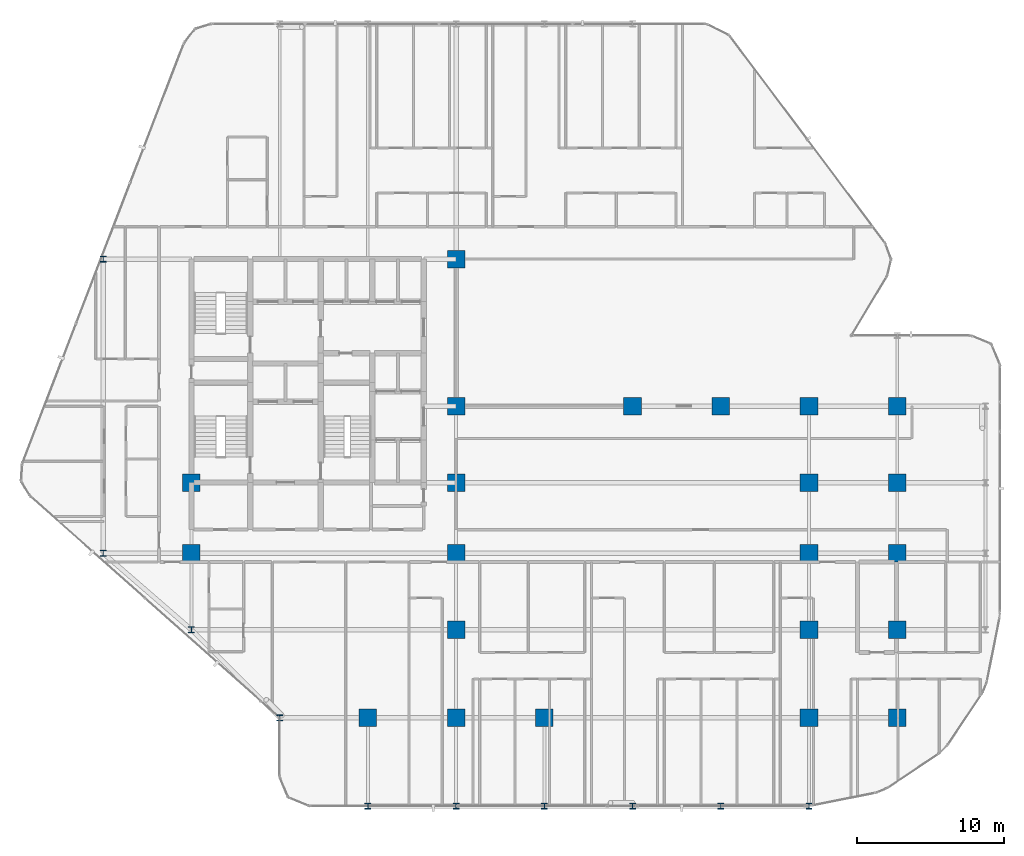
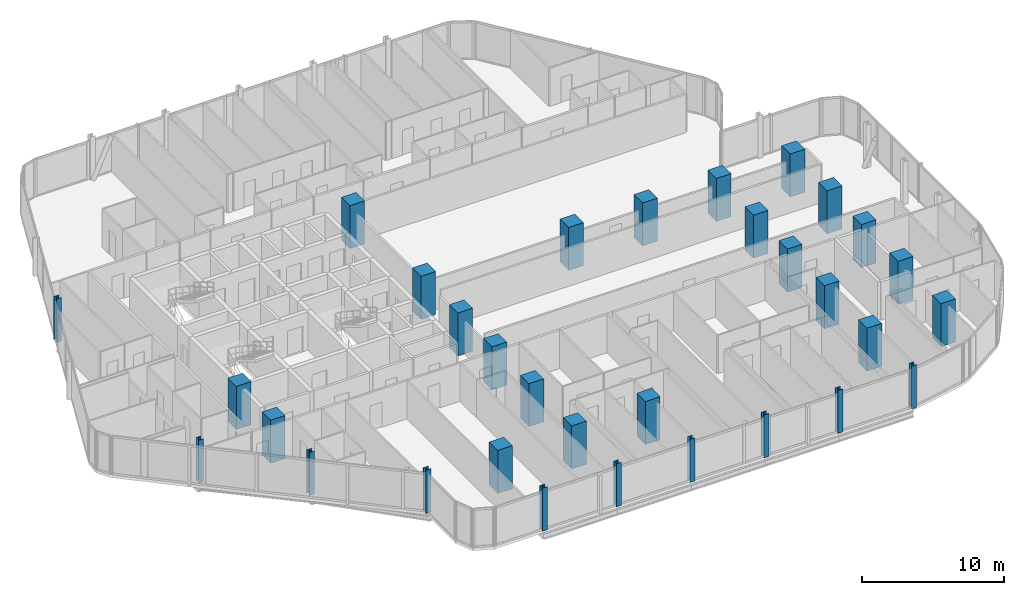
# One storey, part 1 of 34: 32 columns.
"""IFC4 building model written with IfcOpenShell, lengths in metres."""

from ifc_helpers import new_model, si_unit, direction, frame, origin, origin_2d, place, context, subcontext, project, spatial, rectangle, i_section, extrude, material, material_profile, profile_set, type_object, element, save


model = new_model("IFC4")

# Units and contexts
model_context = context("Model", 3, precision=1e-05, world=origin(), true_north=direction((0.0, 1.0)))
body_context = subcontext(model_context, "Body", "Model", "MODEL_VIEW")
ifc_project = project(units=[si_unit("LENGTHUNIT", "METRE"), si_unit("AREAUNIT", "SQUARE_METRE"), si_unit("VOLUMEUNIT", "CUBIC_METRE"), si_unit("PLANEANGLEUNIT", "RADIAN"), si_unit("MASSUNIT", "GRAM", prefix="KILO")], contexts=[model_context])

# Site, building, storey
site_placement = place(None, origin())
site = spatial("IfcSite", under=ifc_project, at=site_placement, CompositionType="ELEMENT")
building_placement = place(site_placement, origin())
building = spatial("IfcBuilding", under=site, at=building_placement, Name="Keshet Zoharim Tower", CompositionType="ELEMENT")
storey_placement = place(building_placement, frame((0.0, 0.0, 77.5)))
storey = spatial("IfcBuildingStorey", under=building, at=storey_placement, Name="L18", CompositionType="ELEMENT", Elevation=77.5)

# Columns
ifc_material_1 = material(Name="Steel S355", Category="steel")
ifc_material_profile_1 = material_profile(ifc_material_1, i_section(OverallWidth=0.40087890625, OverallDepth=0.39892578125, WebThickness=0.02490234375, FlangeThickness=0.03955078125, FilletRadius=0.014892578125, at=origin_2d()), Name="HD400x314")
ifc_profile_set_1 = profile_set([ifc_material_profile_1], Name="Steel S355")
column_type_1 = type_object("IfcColumnType", Name="COL-HD314", PredefinedType="COLUMN", material=ifc_profile_set_1)
for number, where, z_axis, x_axis, name in (
    (1, (9.0, 17.89990234375, 0.0), (0.0, 0.0, 1.0), (1.0, 0.0, 0.0), "L18 Column 2D"),
    (2, (9.0, 37.89990234375, 0.0), (0.0, 0.0, 1.0), (1.0, 0.0, 0.0), "L18 Column 2H"),
    (3, (15.0, 12.699951171875, 0.0), (0.0, 0.0, 1.0), (1.0, 0.0, 0.0), "L18 Column 3C"),
    (4, (21.0, 6.699951171875, 0.0), (0.0, 0.0, 1.0), (1.0, 0.0, 0.0), "L18 Column 4B"),
    (5, (27.0, 0.699951171875, 0.0), (0.0, 0.0, 1.0), (1.0, 0.0, 0.0), "L18 Column 5A"),
    (6, (33.0, 0.699951171875, 0.0), (0.0, 0.0, 1.0), (1.0, 0.0, 0.0), "L18 Column 6A"),
    (7, (39.0, 0.699951171875, 0.0), (0.0, 0.0, 1.0), (1.0, 0.0, 0.0), "L18 Column 7A"),
    (8, (45.0, 0.699951171875, 0.0), (0.0, 0.0, 1.0), (1.0, 0.0, 0.0), "L18 Column 8A"),
    (9, (51.0, 0.699951171875, 0.0), (0.0, 0.0, 1.0), (1.0, 0.0, 0.0), "L18 Column 9A"),
    (10, (57.0, 0.699951171875, 0.0), (0.0, 0.0, 1.0), (1.0, 0.0, 0.0), "L18 Column 10A"),
):
    element("IfcColumn", number, at=place(storey_placement, frame(where, z_axis=z_axis, x_axis=x_axis)), inside=storey, type_object=column_type_1, Name=name, PredefinedType="COLUMN", context=body_context, shape_type="SweptSolid", body=[
        extrude(i_section(OverallWidth=0.40087890625, OverallDepth=0.39892578125, WebThickness=0.02490234375, FlangeThickness=0.03955078125, FilletRadius=0.014892578125, at=origin_2d()), origin(), (0.0, 0.0, 1.0), 3.699951171875),
    ])
ifc_material_2 = material(Name="Concrete C60/75", Category="concrete")
ifc_material_profile_2 = material_profile(ifc_material_2, rectangle(XDim=1.199951171875, YDim=1.199951171875, at=origin_2d()), Name="RC1200x1200")
ifc_profile_set_2 = profile_set([ifc_material_profile_2], Name="Concrete C60/75")
column_type_2 = type_object("IfcColumnType", Name="COL-RC1200", PredefinedType="COLUMN", material=ifc_profile_set_2)
for number, where, z_axis, x_axis, name in (
    (11, (15.0, 17.89990234375, 0.0), (0.0, 0.0, 1.0), (1.0, 0.0, 0.0), "L18 Column 3D"),
    (12, (15.0, 22.699951171875, 0.0), (0.0, 0.0, 1.0), (1.0, 0.0, 0.0), "L18 Column 3E"),
    (13, (27.0, 6.699951171875, 0.0), (0.0, 0.0, 1.0), (1.0, 0.0, 0.0), "L18 Column 5B"),
    (14, (33.0, 6.699951171875, 0.0), (0.0, 0.0, 1.0), (1.0, 0.0, 0.0), "L18 Column 6B"),
    (15, (33.0, 12.699951171875, 0.0), (0.0, 0.0, 1.0), (1.0, 0.0, 0.0), "L18 Column 6C"),
    (16, (33.0, 17.89990234375, 0.0), (0.0, 0.0, 1.0), (1.0, 0.0, 0.0), "L18 Column 6D"),
    (17, (33.0, 22.699951171875, 0.0), (0.0, 0.0, 1.0), (1.0, 0.0, 0.0), "L18 Column 6E"),
    (18, (33.0, 27.89990234375, 0.0), (0.0, 0.0, 1.0), (1.0, 0.0, 0.0), "L18 Column 6F"),
    (19, (33.0, 37.89990234375, 0.0), (0.0, 0.0, 1.0), (1.0, 0.0, 0.0), "L18 Column 6H"),
    (20, (39.0, 6.699951171875, 0.0), (0.0, 0.0, 1.0), (1.0, 0.0, 0.0), "L18 Column 7B"),
    (21, (45.0, 27.89990234375, 0.0), (0.0, 0.0, 1.0), (1.0, 0.0, 0.0), "L18 Column 8F"),
    (22, (51.0, 27.89990234375, 0.0), (0.0, 0.0, 1.0), (1.0, 0.0, 0.0), "L18 Column 9F"),
    (23, (57.0, 6.699951171875, 0.0), (0.0, 0.0, 1.0), (1.0, 0.0, 0.0), "L18 Column 10B"),
    (24, (57.0, 12.699951171875, 0.0), (0.0, 0.0, 1.0), (1.0, 0.0, 0.0), "L18 Column 10C"),
    (25, (57.0, 17.89990234375, 0.0), (0.0, 0.0, 1.0), (1.0, 0.0, 0.0), "L18 Column 10D"),
    (26, (57.0, 22.699951171875, 0.0), (0.0, 0.0, 1.0), (1.0, 0.0, 0.0), "L18 Column 10E"),
    (27, (57.0, 27.89990234375, 0.0), (0.0, 0.0, 1.0), (1.0, 0.0, 0.0), "L18 Column 10F"),
    (28, (63.0, 6.699951171875, 0.0), (0.0, 0.0, 1.0), (1.0, 0.0, 0.0), "L18 Column 11B"),
    (29, (63.0, 12.699951171875, 0.0), (0.0, 0.0, 1.0), (1.0, 0.0, 0.0), "L18 Column 11C"),
    (30, (63.0, 17.89990234375, 0.0), (0.0, 0.0, 1.0), (1.0, 0.0, 0.0), "L18 Column 11D"),
    (31, (63.0, 22.699951171875, 0.0), (0.0, 0.0, 1.0), (1.0, 0.0, 0.0), "L18 Column 11E"),
    (32, (63.0, 27.89990234375, 0.0), (0.0, 0.0, 1.0), (1.0, 0.0, 0.0), "L18 Column 11F"),
):
    element("IfcColumn", number, at=place(storey_placement, frame(where, z_axis=z_axis, x_axis=x_axis)), inside=storey, type_object=column_type_2, Name=name, PredefinedType="COLUMN", context=body_context, shape_type="SweptSolid", body=[
        extrude(rectangle(XDim=1.199951171875, YDim=1.199951171875, at=origin_2d()), origin(), (0.0, 0.0, 1.0), 3.699951171875),
    ])

save(model, "model.ifc")
